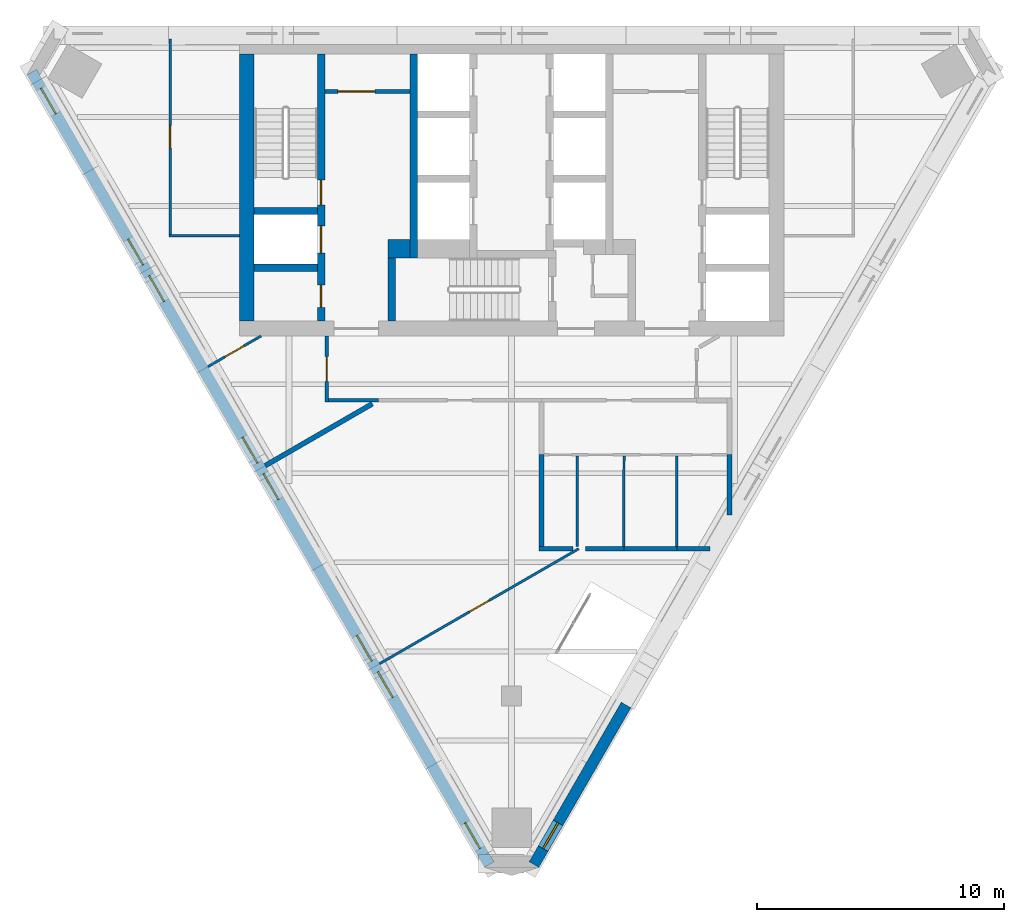
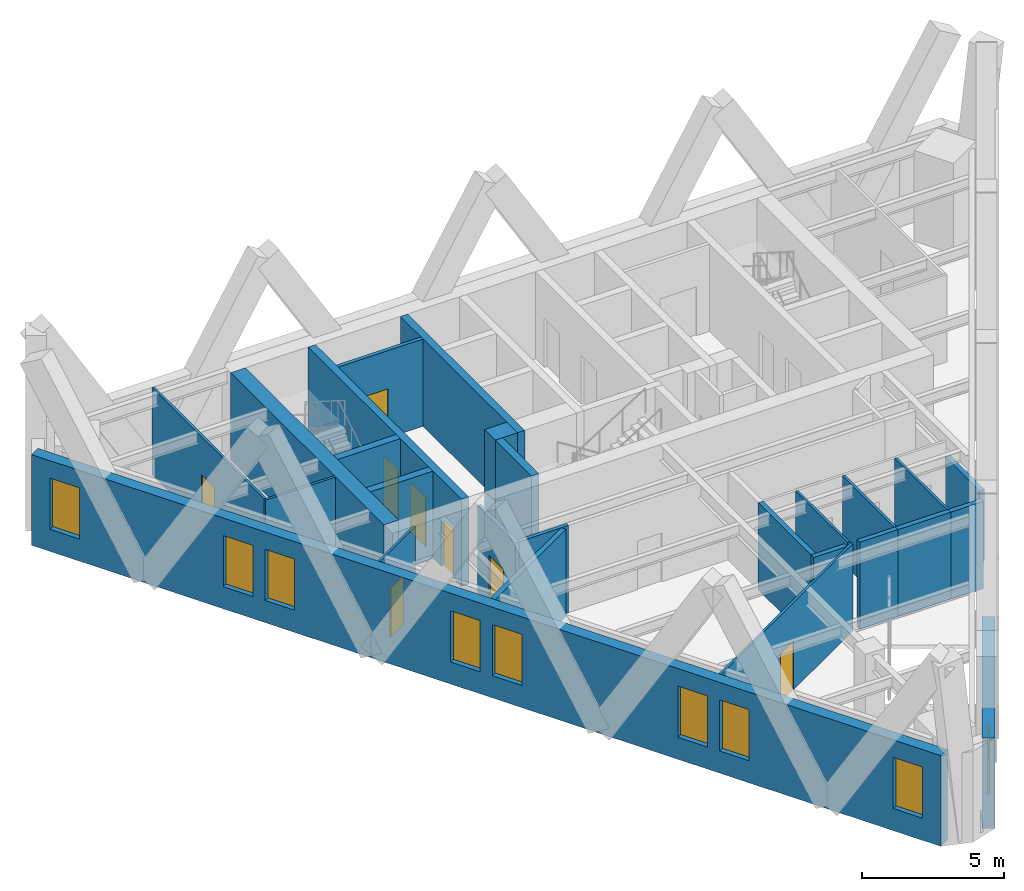
# One storey, part 4 of 9: 26 walls, 9 windows, 8 doors, 17 openings.
"""IFC4 building model written with IfcOpenShell, lengths in metres."""

from ifc_helpers import new_model, si_unit, direction, frame, frame_2d, origin, place, context, subcontext, project, spatial, polyline, rectangle, outline, extrude, material, layer, layer_set, type_object, element, fill, save


model = new_model("IFC4")

# Units and contexts
model_context = context("Model", 3, precision=1e-05, world=origin(), true_north=direction((0.0, 1.0)))
body_context = subcontext(model_context, "Body", "Model", "MODEL_VIEW")
ifc_project = project(units=[si_unit("LENGTHUNIT", "METRE"), si_unit("AREAUNIT", "SQUARE_METRE"), si_unit("VOLUMEUNIT", "CUBIC_METRE"), si_unit("PLANEANGLEUNIT", "RADIAN"), si_unit("MASSUNIT", "GRAM", prefix="KILO")], contexts=[model_context])

# Site, building, storey
site_placement = place(None, origin())
site = spatial("IfcSite", under=ifc_project, at=site_placement, CompositionType="ELEMENT")
building_placement = place(site_placement, origin())
building = spatial("IfcBuilding", under=site, at=building_placement, Name="Aloe Facet Convention Tower", CompositionType="ELEMENT")
storey_placement = place(building_placement, frame((0.0, 0.0, 277.699951171875)))
storey = spatial("IfcBuildingStorey", under=building, at=storey_placement, Name="L68", CompositionType="ELEMENT", Elevation=277.699951171875)

# Wall, opening, door
ifc_material_1 = material(Name="Concrete blockwork partition", Category="masonry")
ifc_layer_1 = layer(ifc_material_1, 0.14990234375)
ifc_layer_set_1 = layer_set([ifc_layer_1], Name="CR-W-PART150")
wall_type_1 = type_object("IfcWallType", Name="CR-W-PART150", PredefinedType="PARTITIONING", material=ifc_layer_set_1)
wall_1_placement = place(storey_placement, frame((72.449951171875, 132.425048828125, 0.0), z_axis=(0.0, 0.0, 1.0), x_axis=(1.0, 0.0, 0.0)))
wall_1 = element("IfcWall", 1, at=wall_1_placement, inside=storey, type_object=wall_type_1, Name="Core partition L68-007", PredefinedType="PARTITIONING", context=body_context, shape_type="SweptSolid", body=[
    extrude(rectangle(XDim=3.449951171875, YDim=0.14990234375, at=frame_2d((1.72509765625, 0.0))), origin(), (0.0, 0.0, 1.0), 3.75),
])
opening_1_placement = place(wall_1_placement, frame((0.52490234375, 0.0, 0.0)))
opening_1 = element("IfcOpeningElement", 2, at=opening_1_placement, cuts=wall_1, Name="Opening L68-CD14", PredefinedType="OPENING", context=body_context, shape_type="SweptSolid", body=[
    extrude(rectangle(XDim=1.5, YDim=2.10009765625, at=frame_2d((0.75, 1.050048828125))), frame((0.0, 0.0849609375, 0.0), z_axis=(0.0, -1.0, 0.0), x_axis=(1.0, 0.0, 0.0)), (0.0, 0.0, 1.0), 0.169921875),
])
ifc_material_2 = material(Name="Steel fire-resisting door set FD60", Category="steel")
door_type_1 = type_object("IfcDoorType", Name="CR-D-REFUGE-1500-FD60-DD", OperationType="DOUBLE_DOOR_DOUBLE_SWING", PredefinedType="DOOR", material=ifc_material_2)
door_1_placement = place(opening_1_placement, origin())
door_1 = element("IfcDoor", 3, at=door_1_placement, inside=storey, type_object=door_type_1, Name="Core door L68-CD14", OperationType="DOUBLE_DOOR_DOUBLE_SWING", OverallHeight=2.10009765625, OverallWidth=1.5, PredefinedType="DOOR", context=body_context, shape_type="SweptSolid", body=[
    extrude(rectangle(XDim=1.5, YDim=2.10009765625, at=frame_2d((0.75, 1.050048828125))), frame((0.0, 0.02490234375, 0.0), z_axis=(0.0, -1.0, 0.0), x_axis=(1.0, 0.0, 0.0)), (0.0, 0.0, 1.0), 0.050048828125),
])
fill(opening_1, door_1)

# Walls
ifc_material_3 = material(Name="Concrete C50/60", Category="concrete")
ifc_layer_2 = layer(ifc_material_3, 0.300048828125)
ifc_layer_set_2 = layer_set([ifc_layer_2], Name="CR-W-RC300-C5060")
wall_type_2 = type_object("IfcWallType", Name="CR-W-RC300-C5060", PredefinedType="SOLIDWALL", material=ifc_layer_set_2)
for number, where, z_axis, x_axis, name in (
    (4, (69.60009765625, 127.60009765625, 0.0), (0.0, 0.0, 1.0), (1.0, 0.0, 0.0), "Core wall L68-004"),
    (5, (69.60009765625, 125.300048828125, 0.0), (0.0, 0.0, 1.0), (1.0, 0.0, 0.0), "Core wall L68-005"),
):
    element("IfcWall", number, at=place(storey_placement, frame(where, z_axis=z_axis, x_axis=x_axis)), inside=storey, type_object=wall_type_2, Name=name, PredefinedType="SOLIDWALL", context=body_context, shape_type="SweptSolid", body=[
        extrude(rectangle(XDim=2.5498046875, YDim=0.300048828125, at=frame_2d((1.27490234375, 0.0))), origin(), (0.0, 0.0, 1.0), 3.75),
    ])

# Wall, openings, doors
wall_2_placement = place(storey_placement, frame((72.300048828125, 133.949951171875, 0.0), z_axis=(0.0, 0.0, 1.0), x_axis=(0.0, -1.0, 0.0)))
wall_2 = element("IfcWall", 6, at=wall_2_placement, inside=storey, type_object=wall_type_2, Name="Core wall L68-006", PredefinedType="SOLIDWALL", context=body_context, shape_type="SweptSolid", body=[
    extrude(rectangle(XDim=10.800048828125, YDim=0.300048828125, at=frame_2d((5.39990234375, 0.0))), origin(), (0.0, 0.0, 1.0), 3.75),
])
opening_2_placement = place(wall_2_placement, frame((6.949951171875, 0.0, 0.0)))
opening_2 = element("IfcOpeningElement", 7, at=opening_2_placement, cuts=wall_2, Name="Opening LD-FF1-L68", PredefinedType="OPENING", context=body_context, shape_type="SweptSolid", body=[
    extrude(rectangle(XDim=1.10009765625, YDim=2.10009765625, at=frame_2d((0.550048828125, 1.050048828125))), frame((0.0, 0.16015625, 0.0), z_axis=(0.0, -1.0, 0.0), x_axis=(1.0, 0.0, 0.0)), (0.0, 0.0, 1.0), 0.320068359375),
])
opening_3_placement = place(wall_2_placement, frame((9.35009765625, 0.0, 0.0)))
opening_3 = element("IfcOpeningElement", 8, at=opening_3_placement, cuts=wall_2, Name="Opening L68-CD15", PredefinedType="OPENING", context=body_context, shape_type="SweptSolid", body=[
    extrude(rectangle(XDim=0.89990234375, YDim=2.10009765625, at=frame_2d((0.449951171875, 1.050048828125))), frame((0.0, 0.16015625, 0.0), z_axis=(0.0, -1.0, 0.0), x_axis=(1.0, 0.0, 0.0)), (0.0, 0.0, 1.0), 0.320068359375),
])
opening_4_placement = place(wall_2_placement, frame((5.10009765625, 0.0, 0.0)))
opening_4 = element("IfcOpeningElement", 9, at=opening_4_placement, cuts=wall_2, Name="Opening L68-CD16", PredefinedType="OPENING", context=body_context, shape_type="SweptSolid", body=[
    extrude(rectangle(XDim=1.0, YDim=2.10009765625, at=frame_2d((0.5, 1.050048828125))), frame((0.0, 0.16015625, 0.0), z_axis=(0.0, -1.0, 0.0), x_axis=(1.0, 0.0, 0.0)), (0.0, 0.0, 1.0), 0.320068359375),
])
ifc_material_4 = material(Name="Steel fire-resisting door set FD60", Category="steel")
door_type_2 = type_object("IfcDoorType", Name="CR-D-ROOM-900-FD60-SLEFT", OperationType="SINGLE_SWING_LEFT", PredefinedType="DOOR", material=ifc_material_4)
door_2_placement = place(opening_3_placement, origin())
door_2 = element("IfcDoor", 10, at=door_2_placement, inside=storey, type_object=door_type_2, Name="Core door L68-CD15", OperationType="SINGLE_SWING_LEFT", OverallHeight=2.10009765625, OverallWidth=0.89990234375, PredefinedType="DOOR", context=body_context, shape_type="SweptSolid", body=[
    extrude(rectangle(XDim=0.89990234375, YDim=2.10009765625, at=frame_2d((0.449951171875, 1.050048828125))), frame((0.0, 0.02490234375, 0.0), z_axis=(0.0, -1.0, 0.0), x_axis=(1.0, 0.0, 0.0)), (0.0, 0.0, 1.0), 0.050048828125),
])
fill(opening_3, door_2)
ifc_material_5 = material(Name="Steel fire-resisting door set FD120", Category="steel")
door_type_3 = type_object("IfcDoorType", Name="CR-D-STAIR-1000-FD120-SRIGHT", OperationType="SINGLE_SWING_RIGHT", PredefinedType="DOOR", material=ifc_material_5)
door_3_placement = place(opening_4_placement, origin())
door_3 = element("IfcDoor", 11, at=door_3_placement, inside=storey, type_object=door_type_3, Name="Core door L68-CD16", OperationType="SINGLE_SWING_RIGHT", OverallHeight=2.10009765625, OverallWidth=1.0, PredefinedType="DOOR", context=body_context, shape_type="SweptSolid", body=[
    extrude(rectangle(XDim=1.0, YDim=2.10009765625, at=frame_2d((0.5, 1.050048828125))), frame((0.0, 0.02490234375, 0.0), z_axis=(0.0, -1.0, 0.0), x_axis=(1.0, 0.0, 0.0)), (0.0, 0.0, 1.0), 0.050048828125),
])
fill(opening_4, door_3)
ifc_material_6 = material(Name="Stainless steel sliding landing door", Category="steel")
door_type_4 = type_object("IfcDoorType", Name="CR-LD-1100-FD120-_LEFT", OperationType="SLIDING_TO_LEFT", PredefinedType="DOOR", material=ifc_material_6)
door_4_placement = place(opening_2_placement, origin())
door_4 = element("IfcDoor", 12, at=door_4_placement, inside=storey, type_object=door_type_4, Name="Landing door FF1 L68", OperationType="SLIDING_TO_LEFT", OverallHeight=2.10009765625, OverallWidth=1.10009765625, PredefinedType="DOOR", context=body_context, shape_type="SweptSolid", body=[
    extrude(rectangle(XDim=1.10009765625, YDim=2.10009765625, at=frame_2d((0.550048828125, 1.050048828125))), frame((0.0, 0.02490234375, 0.0), z_axis=(0.0, -1.0, 0.0), x_axis=(1.0, 0.0, 0.0)), (0.0, 0.0, 1.0), 0.050048828125),
])
fill(opening_2, door_4)

# Walls
wall_3_placement = place(storey_placement, frame((75.14990234375, 125.699951171875, 0.0), z_axis=(0.0, 0.0, 1.0), x_axis=(0.0, -1.0, 0.0)))
element("IfcWall", 13, at=wall_3_placement, inside=storey, type_object=wall_type_2, Name="Core wall L68-009", PredefinedType="SOLIDWALL", context=body_context, shape_type="SweptSolid", body=[
    extrude(rectangle(XDim=2.550048828125, YDim=0.300048828125, at=frame_2d((1.27490234375, 0.0))), origin(), (0.0, 0.0, 1.0), 3.75),
])
wall_4_placement = place(storey_placement, frame((76.050048828125, 133.949951171875, 0.0), z_axis=(0.0, 0.0, 1.0), x_axis=(0.0, -1.0, 0.0)))
element("IfcWall", 14, at=wall_4_placement, inside=storey, type_object=wall_type_2, Name="Core wall L68-010", PredefinedType="SOLIDWALL", context=body_context, shape_type="SweptSolid", body=[
    extrude(rectangle(XDim=8.25, YDim=0.300048828125, at=frame_2d((4.125, 0.0))), origin(), (0.0, 0.0, 1.0), 3.75),
])
ifc_material_7 = material(Name="Concrete C50/60", Category="concrete")
ifc_layer_3 = layer(ifc_material_7, 0.60009765625)
ifc_layer_set_3 = layer_set([ifc_layer_3], Name="CR-W-RC600-C5060")
wall_type_3 = type_object("IfcWallType", Name="CR-W-RC600-C5060", PredefinedType="SOLIDWALL", material=ifc_layer_set_3)
wall_5_placement = place(storey_placement, frame((69.300048828125, 133.949951171875, 0.0), z_axis=(0.0, 0.0, 1.0), x_axis=(0.0, -1.0, 0.0)))
element("IfcWall", 15, at=wall_5_placement, inside=storey, type_object=wall_type_3, Name="Core wall L68-002", PredefinedType="SOLIDWALL", context=body_context, shape_type="SweptSolid", body=[
    extrude(rectangle(XDim=10.800048828125, YDim=0.60009765625, at=frame_2d((5.39990234375, 0.0))), origin(), (0.0, 0.0, 1.0), 3.75),
])
ifc_material_8 = material(Name="Concrete C50/60", Category="concrete")
ifc_layer_4 = layer(ifc_material_8, 0.75)
ifc_layer_set_4 = layer_set([ifc_layer_4], Name="CR-W-RC750-C5060")
wall_type_4 = type_object("IfcWallType", Name="CR-W-RC750-C5060", PredefinedType="SOLIDWALL", material=ifc_layer_set_4)
wall_6_placement = place(storey_placement, frame((75.0, 126.074951171875, 0.0), z_axis=(0.0, 0.0, 1.0), x_axis=(1.0, 0.0, 0.0)))
element("IfcWall", 16, at=wall_6_placement, inside=storey, type_object=wall_type_4, Name="Core wall L68-008", PredefinedType="SOLIDWALL", context=body_context, shape_type="SweptSolid", body=[
    extrude(rectangle(XDim=0.89990234375, YDim=0.75, at=frame_2d((0.449951171875, 0.0))), origin(), (0.0, 0.0, 1.0), 3.75),
])

# Wall, openings, windows
ifc_material_9 = material(Name="Precast concrete C40/50", Category="concrete")
ifc_layer_5 = layer(ifc_material_9, 0.449951171875)
ifc_layer_set_5 = layer_set([ifc_layer_5], Name="EV-WALL-STONE")
wall_type_5 = type_object("IfcWallType", Name="EV-WALL-STONE", PredefinedType="SOLIDWALL", material=ifc_layer_set_5)
wall_7_placement = place(storey_placement, frame((60.608642578125, 133.207275390625, -0.14990234375), z_axis=(0.0, 0.0, 1.0), x_axis=(0.500002536638, -0.866023939251, 0.0)))
wall_7 = element("IfcWall", 17, at=wall_7_placement, inside=storey, type_object=wall_type_5, Name="EW-L68-W01", PredefinedType="SOLIDWALL", context=body_context, shape_type="SweptSolid", body=[
    extrude(outline(polyline([(36.972412109375, 0.0), (36.972412109375, 3.89990234375), (0.0, 3.89990234375), (0.0, 0.0), (36.972412109375, 0.0)])), frame((0.0, 0.22509765625, 0.0), z_axis=(0.0, -1.0, 0.0), x_axis=(1.0, 0.0, 0.0)), (0.0, 0.0, 1.0), 0.449951171875),
])
opening_5_placement = place(wall_7_placement, frame((0.744140625, 0.0, 0.949951171875)))
opening_5 = element("IfcOpeningElement", 18, at=opening_5_placement, cuts=wall_7, Name="Opening W-L68-W01", PredefinedType="OPENING", context=body_context, shape_type="SweptSolid", body=[
    extrude(rectangle(XDim=1.199951171875, YDim=2.199951171875, at=frame_2d((0.60009765625, 1.10009765625))), frame((0.0, 0.23486328125, 0.0), z_axis=(0.0, -1.0, 0.0), x_axis=(1.0, 0.0, 0.0)), (0.0, 0.0, 1.0), 0.469970703125),
])
opening_6_placement = place(wall_7_placement, frame((7.79296875, 0.0, 0.949951171875)))
opening_6 = element("IfcOpeningElement", 19, at=opening_6_placement, cuts=wall_7, Name="Opening W-L68-W02", PredefinedType="OPENING", context=body_context, shape_type="SweptSolid", body=[
    extrude(rectangle(XDim=1.199951171875, YDim=2.199951171875, at=frame_2d((0.60009765625, 1.10009765625))), frame((0.0, 0.23486328125, 0.0), z_axis=(0.0, -1.0, 0.0), x_axis=(1.0, 0.0, 0.0)), (0.0, 0.0, 1.0), 0.469970703125),
])
opening_7_placement = place(wall_7_placement, frame((9.4931640625, 0.0, 0.949951171875)))
opening_7 = element("IfcOpeningElement", 20, at=opening_7_placement, cuts=wall_7, Name="Opening W-L68-W03", PredefinedType="OPENING", context=body_context, shape_type="SweptSolid", body=[
    extrude(rectangle(XDim=1.199951171875, YDim=2.199951171875, at=frame_2d((0.60009765625, 1.10009765625))), frame((0.0, 0.23486328125, 0.0), z_axis=(0.0, -1.0, 0.0), x_axis=(1.0, 0.0, 0.0)), (0.0, 0.0, 1.0), 0.469970703125),
])
opening_8_placement = place(wall_7_placement, frame((17.0361328125, 0.0, 0.949951171875)))
opening_8 = element("IfcOpeningElement", 21, at=opening_8_placement, cuts=wall_7, Name="Opening W-L68-W04", PredefinedType="OPENING", context=body_context, shape_type="SweptSolid", body=[
    extrude(rectangle(XDim=1.199951171875, YDim=2.199951171875, at=frame_2d((0.60009765625, 1.10009765625))), frame((0.0, 0.23486328125, 0.0), z_axis=(0.0, -1.0, 0.0), x_axis=(1.0, 0.0, 0.0)), (0.0, 0.0, 1.0), 0.469970703125),
])
opening_9_placement = place(wall_7_placement, frame((18.736083984375, 0.0, 0.949951171875)))
opening_9 = element("IfcOpeningElement", 22, at=opening_9_placement, cuts=wall_7, Name="Opening W-L68-W05", PredefinedType="OPENING", context=body_context, shape_type="SweptSolid", body=[
    extrude(rectangle(XDim=1.199951171875, YDim=2.199951171875, at=frame_2d((0.60009765625, 1.10009765625))), frame((0.0, 0.23486328125, 0.0), z_axis=(0.0, -1.0, 0.0), x_axis=(1.0, 0.0, 0.0)), (0.0, 0.0, 1.0), 0.469970703125),
])
opening_10_placement = place(wall_7_placement, frame((26.279296875, 0.0, 0.949951171875)))
opening_10 = element("IfcOpeningElement", 23, at=opening_10_placement, cuts=wall_7, Name="Opening W-L68-W06", PredefinedType="OPENING", context=body_context, shape_type="SweptSolid", body=[
    extrude(rectangle(XDim=1.199951171875, YDim=2.199951171875, at=frame_2d((0.60009765625, 1.10009765625))), frame((0.0, 0.23486328125, 0.0), z_axis=(0.0, -1.0, 0.0), x_axis=(1.0, 0.0, 0.0)), (0.0, 0.0, 1.0), 0.469970703125),
])
opening_11_placement = place(wall_7_placement, frame((27.979248046875, 0.0, 0.949951171875)))
opening_11 = element("IfcOpeningElement", 24, at=opening_11_placement, cuts=wall_7, Name="Opening W-L68-W07", PredefinedType="OPENING", context=body_context, shape_type="SweptSolid", body=[
    extrude(rectangle(XDim=1.199951171875, YDim=2.199951171875, at=frame_2d((0.60009765625, 1.10009765625))), frame((0.0, 0.23486328125, 0.0), z_axis=(0.0, -1.0, 0.0), x_axis=(1.0, 0.0, 0.0)), (0.0, 0.0, 1.0), 0.469970703125),
])
opening_12_placement = place(wall_7_placement, frame((35.028076171875, 0.0, 0.949951171875)))
opening_12 = element("IfcOpeningElement", 25, at=opening_12_placement, cuts=wall_7, Name="Opening W-L68-W08", PredefinedType="OPENING", context=body_context, shape_type="SweptSolid", body=[
    extrude(rectangle(XDim=1.199951171875, YDim=2.199951171875, at=frame_2d((0.60009765625, 1.10009765625))), frame((0.0, 0.23486328125, 0.0), z_axis=(0.0, -1.0, 0.0), x_axis=(1.0, 0.0, 0.0)), (0.0, 0.0, 1.0), 0.469970703125),
])
ifc_material_10 = material(Name="Aluminium frame, clear double glazing", Category="aluminium")
window_type = type_object("IfcWindowType", Name="EV-WIN-O12", PartitioningType="SINGLE_PANEL", PredefinedType="WINDOW", material=ifc_material_10)
window_1_placement = place(opening_5_placement, origin())
window_1 = element("IfcWindow", 26, at=window_1_placement, inside=storey, type_object=window_type, Name="W-L68-W01", OverallHeight=2.199951171875, OverallWidth=1.199951171875, PartitioningType="SINGLE_PANEL", PredefinedType="WINDOW", context=body_context, shape_type="SweptSolid", body=[
    extrude(rectangle(XDim=1.199951171875, YDim=2.199951171875, at=frame_2d((0.60009765625, 1.10009765625))), frame((0.0, 0.030029296875, 0.0), z_axis=(0.0, -1.0, 0.0), x_axis=(1.0, 0.0, 0.0)), (0.0, 0.0, 1.0), 0.06005859375),
])
fill(opening_5, window_1)
window_2_placement = place(opening_6_placement, origin())
window_2 = element("IfcWindow", 27, at=window_2_placement, inside=storey, type_object=window_type, Name="W-L68-W02", OverallHeight=2.199951171875, OverallWidth=1.199951171875, PartitioningType="SINGLE_PANEL", PredefinedType="WINDOW", context=body_context, shape_type="SweptSolid", body=[
    extrude(rectangle(XDim=1.199951171875, YDim=2.199951171875, at=frame_2d((0.60009765625, 1.10009765625))), frame((0.0, 0.030029296875, 0.0), z_axis=(0.0, -1.0, 0.0), x_axis=(1.0, 0.0, 0.0)), (0.0, 0.0, 1.0), 0.06005859375),
])
fill(opening_6, window_2)
window_3_placement = place(opening_7_placement, origin())
window_3 = element("IfcWindow", 28, at=window_3_placement, inside=storey, type_object=window_type, Name="W-L68-W03", OverallHeight=2.199951171875, OverallWidth=1.199951171875, PartitioningType="SINGLE_PANEL", PredefinedType="WINDOW", context=body_context, shape_type="SweptSolid", body=[
    extrude(rectangle(XDim=1.199951171875, YDim=2.199951171875, at=frame_2d((0.60009765625, 1.10009765625))), frame((0.0, 0.030029296875, 0.0), z_axis=(0.0, -1.0, 0.0), x_axis=(1.0, 0.0, 0.0)), (0.0, 0.0, 1.0), 0.06005859375),
])
fill(opening_7, window_3)
window_4_placement = place(opening_8_placement, origin())
window_4 = element("IfcWindow", 29, at=window_4_placement, inside=storey, type_object=window_type, Name="W-L68-W04", OverallHeight=2.199951171875, OverallWidth=1.199951171875, PartitioningType="SINGLE_PANEL", PredefinedType="WINDOW", context=body_context, shape_type="SweptSolid", body=[
    extrude(rectangle(XDim=1.199951171875, YDim=2.199951171875, at=frame_2d((0.60009765625, 1.10009765625))), frame((0.0, 0.030029296875, 0.0), z_axis=(0.0, -1.0, 0.0), x_axis=(1.0, 0.0, 0.0)), (0.0, 0.0, 1.0), 0.06005859375),
])
fill(opening_8, window_4)
window_5_placement = place(opening_9_placement, origin())
window_5 = element("IfcWindow", 30, at=window_5_placement, inside=storey, type_object=window_type, Name="W-L68-W05", OverallHeight=2.199951171875, OverallWidth=1.199951171875, PartitioningType="SINGLE_PANEL", PredefinedType="WINDOW", context=body_context, shape_type="SweptSolid", body=[
    extrude(rectangle(XDim=1.199951171875, YDim=2.199951171875, at=frame_2d((0.60009765625, 1.10009765625))), frame((0.0, 0.030029296875, 0.0), z_axis=(0.0, -1.0, 0.0), x_axis=(1.0, 0.0, 0.0)), (0.0, 0.0, 1.0), 0.06005859375),
])
fill(opening_9, window_5)
window_6_placement = place(opening_10_placement, origin())
window_6 = element("IfcWindow", 31, at=window_6_placement, inside=storey, type_object=window_type, Name="W-L68-W06", OverallHeight=2.199951171875, OverallWidth=1.199951171875, PartitioningType="SINGLE_PANEL", PredefinedType="WINDOW", context=body_context, shape_type="SweptSolid", body=[
    extrude(rectangle(XDim=1.199951171875, YDim=2.199951171875, at=frame_2d((0.60009765625, 1.10009765625))), frame((0.0, 0.030029296875, 0.0), z_axis=(0.0, -1.0, 0.0), x_axis=(1.0, 0.0, 0.0)), (0.0, 0.0, 1.0), 0.06005859375),
])
fill(opening_10, window_6)
window_7_placement = place(opening_11_placement, origin())
window_7 = element("IfcWindow", 32, at=window_7_placement, inside=storey, type_object=window_type, Name="W-L68-W07", OverallHeight=2.199951171875, OverallWidth=1.199951171875, PartitioningType="SINGLE_PANEL", PredefinedType="WINDOW", context=body_context, shape_type="SweptSolid", body=[
    extrude(rectangle(XDim=1.199951171875, YDim=2.199951171875, at=frame_2d((0.60009765625, 1.10009765625))), frame((0.0, 0.030029296875, 0.0), z_axis=(0.0, -1.0, 0.0), x_axis=(1.0, 0.0, 0.0)), (0.0, 0.0, 1.0), 0.06005859375),
])
fill(opening_11, window_7)
window_8_placement = place(opening_12_placement, origin())
window_8 = element("IfcWindow", 33, at=window_8_placement, inside=storey, type_object=window_type, Name="W-L68-W08", OverallHeight=2.199951171875, OverallWidth=1.199951171875, PartitioningType="SINGLE_PANEL", PredefinedType="WINDOW", context=body_context, shape_type="SweptSolid", body=[
    extrude(rectangle(XDim=1.199951171875, YDim=2.199951171875, at=frame_2d((0.60009765625, 1.10009765625))), frame((0.0, 0.030029296875, 0.0), z_axis=(0.0, -1.0, 0.0), x_axis=(1.0, 0.0, 0.0)), (0.0, 0.0, 1.0), 0.06005859375),
])
fill(opening_12, window_8)

# Wall, opening, window
wall_8_placement = place(storey_placement, frame((80.905029296875, 101.188232421875, -0.14990234375), z_axis=(0.0, 0.0, 1.0), x_axis=(0.500005432742, 0.866022267167, 0.0)))
wall_8 = element("IfcWall", 34, at=wall_8_placement, inside=storey, type_object=wall_type_5, Name="EW-L68-E01", PredefinedType="SOLIDWALL", context=body_context, shape_type="SweptSolid", body=[
    extrude(outline(polyline([(0.0, 0.0), (0.0, 3.89990234375), (7.443115234375, 3.89990234375), (7.443115234375, 0.0), (0.0, 0.0)])), frame((0.0, 0.22509765625, 0.0), z_axis=(0.0, -1.0, 0.0), x_axis=(1.0, 0.0, 0.0)), (0.0, 0.0, 1.0), 0.449951171875),
])
opening_13_placement = place(wall_8_placement, frame((0.744140625, 0.0, 0.949951171875)))
opening_13 = element("IfcOpeningElement", 35, at=opening_13_placement, cuts=wall_8, Name="Opening W-L68-E01", PredefinedType="OPENING", context=body_context, shape_type="SweptSolid", body=[
    extrude(rectangle(XDim=1.199951171875, YDim=2.199951171875, at=frame_2d((0.60009765625, 1.10009765625))), frame((0.0, 0.23486328125, 0.0), z_axis=(0.0, -1.0, 0.0), x_axis=(1.0, 0.0, 0.0)), (0.0, 0.0, 1.0), 0.469970703125),
])
window_9_placement = place(opening_13_placement, origin())
window_9 = element("IfcWindow", 36, at=window_9_placement, inside=storey, type_object=window_type, Name="W-L68-E01", OverallHeight=2.199951171875, OverallWidth=1.199951171875, PartitioningType="SINGLE_PANEL", PredefinedType="WINDOW", context=body_context, shape_type="SweptSolid", body=[
    extrude(rectangle(XDim=1.199951171875, YDim=2.199951171875, at=frame_2d((0.60009765625, 1.10009765625))), frame((0.0, 0.030029296875, 0.0), z_axis=(0.0, -1.0, 0.0), x_axis=(1.0, 0.0, 0.0)), (0.0, 0.0, 1.0), 0.06005859375),
])
fill(opening_13, window_9)

# Wall, opening, door
ifc_material_11 = material(Name="Gypsum board partition on steel studs", Category="steel")
ifc_layer_6 = layer(ifc_material_11, 0.14990234375)
ifc_layer_set_6 = layer_set([ifc_layer_6], Name="IN-W-CORR")
wall_type_6 = type_object("IfcWallType", Name="IN-W-CORR", PredefinedType="PARTITIONING", material=ifc_layer_set_6)
wall_9_placement = place(storey_placement, frame((72.52490234375, 119.875, 0.0), z_axis=(0.0, 0.0, 1.0), x_axis=(0.0, 1.0, 0.0)))
wall_9 = element("IfcWall", 37, at=wall_9_placement, inside=storey, type_object=wall_type_6, Name="Partition L68-W018", PredefinedType="PARTITIONING", context=body_context, shape_type="SweptSolid", body=[
    extrude(rectangle(XDim=2.675048828125, YDim=0.14990234375, at=frame_2d((1.33740234375, 0.0))), origin(), (0.0, 0.0, 1.0), 3.75),
])
opening_14_placement = place(wall_9_placement, frame((0.83740234375, 0.0, 0.0)))
opening_14 = element("IfcOpeningElement", 38, at=opening_14_placement, cuts=wall_9, Name="Opening L68-008", PredefinedType="OPENING", context=body_context, shape_type="SweptSolid", body=[
    extrude(rectangle(XDim=1.0, YDim=2.10009765625, at=frame_2d((0.5, 1.050048828125))), frame((0.0, 0.0849609375, 0.0), z_axis=(0.0, -1.0, 0.0), x_axis=(1.0, 0.0, 0.0)), (0.0, 0.0, 1.0), 0.169921875),
])
ifc_material_12 = material(Name="Timber door FD30S with vision panel", Category="wood")
door_type_5 = type_object("IfcDoorType", Name="IN-OFF-D-ENTRY", OperationType="SINGLE_SWING_LEFT", PredefinedType="DOOR", material=ifc_material_12)
door_5_placement = place(opening_14_placement, origin())
door_5 = element("IfcDoor", 39, at=door_5_placement, inside=storey, type_object=door_type_5, Name="Door L68-008", OperationType="SINGLE_SWING_LEFT", OverallHeight=2.10009765625, OverallWidth=1.0, PredefinedType="DOOR", context=body_context, shape_type="SweptSolid", body=[
    extrude(rectangle(XDim=1.0, YDim=2.10009765625, at=frame_2d((0.5, 1.050048828125))), frame((0.0, 0.02490234375, 0.0), z_axis=(0.0, -1.0, 0.0), x_axis=(1.0, 0.0, 0.0)), (0.0, 0.0, 1.0), 0.050048828125),
])
fill(opening_14, door_5)

# Wall
wall_10_placement = place(storey_placement, frame((72.60009765625, 119.949951171875, 0.0), z_axis=(0.0, 0.0, 1.0), x_axis=(1.0, 0.0, 0.0)))
element("IfcWall", 40, at=wall_10_placement, inside=storey, type_object=wall_type_6, Name="Partition L68-W019", PredefinedType="PARTITIONING", context=body_context, shape_type="SweptSolid", body=[
    extrude(rectangle(XDim=2.0185546875, YDim=0.14990234375, at=frame_2d((1.00927734375, 0.0))), origin(), (0.0, 0.0, 1.0), 3.75),
])

# Wall, opening, door
ifc_material_13 = material(Name="Gypsum board partition on steel studs", Category="steel")
ifc_layer_7 = layer(ifc_material_13, 0.10009765625)
ifc_layer_set_7 = layer_set([ifc_layer_7], Name="IN-W-PART")
wall_type_7 = type_object("IfcWallType", Name="IN-W-PART", PredefinedType="PARTITIONING", material=ifc_layer_set_7)
wall_11_placement = place(storey_placement, frame((74.668212890625, 109.305419921875, 0.0), z_axis=(0.0, 0.0, 1.0), x_axis=(0.866021891294, 0.500006083763, 0.0)))
wall_11 = element("IfcWall", 41, at=wall_11_placement, inside=storey, type_object=wall_type_7, Name="Partition L68-W001", PredefinedType="PARTITIONING", context=body_context, shape_type="SweptSolid", body=[
    extrude(rectangle(XDim=9.2890625, YDim=0.10009765625, at=frame_2d((4.64453125, 0.0))), origin(), (0.0, 0.0, 1.0), 3.75),
])
opening_15_placement = place(wall_11_placement, frame((4.194580078125, 0.0, 0.0)))
opening_15 = element("IfcOpeningElement", 42, at=opening_15_placement, cuts=wall_11, Name="Opening L68-012", PredefinedType="OPENING", context=body_context, shape_type="SweptSolid", body=[
    extrude(rectangle(XDim=0.89990234375, YDim=2.10009765625, at=frame_2d((0.449951171875, 1.050048828125))), frame((0.0, 0.06005859375, 0.0), z_axis=(0.0, -1.0, 0.0), x_axis=(1.0, 0.0, 0.0)), (0.0, 0.0, 1.0), 0.1201171875),
])
ifc_material_14 = material(Name="Timber door", Category="wood")
door_type_6 = type_object("IfcDoorType", Name="IN-OFF-D-ROOM", OperationType="SINGLE_SWING_LEFT", PredefinedType="DOOR", material=ifc_material_14)
door_6_placement = place(opening_15_placement, origin())
door_6 = element("IfcDoor", 43, at=door_6_placement, inside=storey, type_object=door_type_6, Name="Door L68-012", OperationType="SINGLE_SWING_LEFT", OverallHeight=2.10009765625, OverallWidth=0.89990234375, PredefinedType="DOOR", context=body_context, shape_type="SweptSolid", body=[
    extrude(rectangle(XDim=0.89990234375, YDim=2.10009765625, at=frame_2d((0.449951171875, 1.050048828125))), frame((0.0, 0.02490234375, 0.0), z_axis=(0.0, -1.0, 0.0), x_axis=(1.0, 0.0, 0.0)), (0.0, 0.0, 1.0), 0.050048828125),
])
fill(opening_15, door_6)

# Walls
for number, where, z_axis, x_axis, name in (
    (44, (82.65380859375, 114.050048828125, 0.0), (0.0, 0.0, 1.0), (-0.002675575707, 0.999996420641, 0.0), "Partition L68-W009"),
    (45, (84.5341796875, 114.050048828125, 0.0), (0.0, 0.0, 1.0), (0.002675575707, 0.999996420641, 0.0), "Partition L68-W011"),
    (46, (86.681640625, 114.050048828125, 0.0), (0.0, 0.0, 1.0), (-0.002608686776, 0.999996597371, 0.0), "Partition L68-W013"),
):
    element("IfcWall", number, at=place(storey_placement, frame(where, z_axis=z_axis, x_axis=x_axis)), inside=storey, type_object=wall_type_7, Name=name, PredefinedType="PARTITIONING", context=body_context, shape_type="SweptSolid", body=[
        extrude(rectangle(XDim=3.64990234375, YDim=0.10009765625, at=frame_2d((1.824951171875, 0.0))), origin(), (0.0, 0.0, 1.0), 3.75),
    ])

# Wall, opening, door
wall_12_placement = place(storey_placement, frame((67.73583984375, 121.312744140625, 0.0), z_axis=(0.0, 0.0, 1.0), x_axis=(0.86604923931, 0.499958713387, 0.0)))
wall_12 = element("IfcWall", 47, at=wall_12_placement, inside=storey, type_object=wall_type_7, Name="Partition L68-W026", PredefinedType="PARTITIONING", context=body_context, shape_type="SweptSolid", body=[
    extrude(rectangle(XDim=2.474853515625, YDim=0.10009765625, at=frame_2d((1.2373046875, 0.0))), origin(), (0.0, 0.0, 1.0), 3.75),
])
opening_16_placement = place(wall_12_placement, frame((0.787353515625, 0.0, 0.0)))
opening_16 = element("IfcOpeningElement", 48, at=opening_16_placement, cuts=wall_12, Name="Opening L68-010", PredefinedType="OPENING", context=body_context, shape_type="SweptSolid", body=[
    extrude(rectangle(XDim=0.89990234375, YDim=2.10009765625, at=frame_2d((0.449951171875, 1.050048828125))), frame((0.0, 0.06005859375, 0.0), z_axis=(0.0, -1.0, 0.0), x_axis=(1.0, 0.0, 0.0)), (0.0, 0.0, 1.0), 0.1201171875),
])
door_7_placement = place(opening_16_placement, origin())
door_7 = element("IfcDoor", 49, at=door_7_placement, inside=storey, type_object=door_type_6, Name="Door L68-010", OperationType="SINGLE_SWING_LEFT", OverallHeight=2.10009765625, OverallWidth=0.89990234375, PredefinedType="DOOR", context=body_context, shape_type="SweptSolid", body=[
    extrude(rectangle(XDim=0.89990234375, YDim=2.10009765625, at=frame_2d((0.449951171875, 1.050048828125))), frame((0.0, 0.02490234375, 0.0), z_axis=(0.0, -1.0, 0.0), x_axis=(1.0, 0.0, 0.0)), (0.0, 0.0, 1.0), 0.050048828125),
])
fill(opening_16, door_7)

# Wall
wall_13_placement = place(storey_placement, frame((66.148193359375, 126.60009765625, 0.0), z_axis=(0.0, 0.0, 1.0), x_axis=(1.0, 0.0, 0.0)))
element("IfcWall", 50, at=wall_13_placement, inside=storey, type_object=wall_type_7, Name="Partition L68-W027", PredefinedType="PARTITIONING", context=body_context, shape_type="SweptSolid", body=[
    extrude(rectangle(XDim=2.851806640625, YDim=0.10009765625, at=frame_2d((1.42578125, 0.0))), origin(), (0.0, 0.0, 1.0), 3.75),
])

# Wall, opening, door
wall_14_placement = place(storey_placement, frame((66.1982421875, 126.64990234375, 0.0), z_axis=(0.0, 0.0, 1.0), x_axis=(0.0, 1.0, 0.0)))
wall_14 = element("IfcWall", 51, at=wall_14_placement, inside=storey, type_object=wall_type_7, Name="Partition L68-W030", PredefinedType="PARTITIONING", context=body_context, shape_type="SweptSolid", body=[
    extrude(rectangle(XDim=7.900146484375, YDim=0.10009765625, at=frame_2d((3.9501953125, 0.0))), origin(), (0.0, 0.0, 1.0), 3.75),
])
opening_17_placement = place(wall_14_placement, frame((3.5, 0.0, 0.0)))
opening_17 = element("IfcOpeningElement", 52, at=opening_17_placement, cuts=wall_14, Name="Opening L68-007", PredefinedType="OPENING", context=body_context, shape_type="SweptSolid", body=[
    extrude(rectangle(XDim=0.89990234375, YDim=2.10009765625, at=frame_2d((0.449951171875, 1.050048828125))), frame((0.0, 0.06005859375, 0.0), z_axis=(0.0, -1.0, 0.0), x_axis=(1.0, 0.0, 0.0)), (0.0, 0.0, 1.0), 0.1201171875),
])
door_8_placement = place(opening_17_placement, origin())
door_8 = element("IfcDoor", 53, at=door_8_placement, inside=storey, type_object=door_type_6, Name="Door L68-007", OperationType="SINGLE_SWING_LEFT", OverallHeight=2.10009765625, OverallWidth=0.89990234375, PredefinedType="DOOR", context=body_context, shape_type="SweptSolid", body=[
    extrude(rectangle(XDim=0.89990234375, YDim=2.10009765625, at=frame_2d((0.449951171875, 1.050048828125))), frame((0.0, 0.02490234375, 0.0), z_axis=(0.0, -1.0, 0.0), x_axis=(1.0, 0.0, 0.0)), (0.0, 0.0, 1.0), 0.050048828125),
])
fill(opening_17, door_8)

# Walls
ifc_material_15 = material(Name="Gypsum board partition on steel studs", Category="steel")
ifc_layer_8 = layer(ifc_material_15, 0.199951171875)
ifc_layer_set_8 = layer_set([ifc_layer_8], Name="IN-W-PARTY")
wall_type_8 = type_object("IfcWallType", Name="IN-W-PARTY", PredefinedType="PARTITIONING", material=ifc_layer_set_8)
wall_15_placement = place(storey_placement, frame((81.10205078125, 113.949951171875, 0.0), z_axis=(0.0, 0.0, 1.0), x_axis=(1.0, 0.0, 0.0)))
element("IfcWall", 54, at=wall_15_placement, inside=storey, type_object=wall_type_8, Name="Partition L68-W002", PredefinedType="PARTITIONING", context=body_context, shape_type="SweptSolid", body=[
    extrude(rectangle(XDim=1.3720703125, YDim=0.199951171875, at=frame_2d((0.68603515625, 0.0))), origin(), (0.0, 0.0, 1.0), 3.75),
])
wall_16_placement = place(storey_placement, frame((82.98583984375, 113.949951171875, 0.0), z_axis=(0.0, 0.0, 1.0), x_axis=(1.0, 0.0, 0.0)))
element("IfcWall", 55, at=wall_16_placement, inside=storey, type_object=wall_type_8, Name="Partition L68-W004", PredefinedType="PARTITIONING", context=body_context, shape_type="SweptSolid", body=[
    extrude(rectangle(XDim=1.548095703125, YDim=0.199951171875, at=frame_2d((0.77392578125, 0.0))), origin(), (0.0, 0.0, 1.0), 3.75),
])
wall_17_placement = place(storey_placement, frame((84.533935546875, 113.949951171875, 0.0), z_axis=(0.0, 0.0, 1.0), x_axis=(1.0, 0.0, 0.0)))
element("IfcWall", 56, at=wall_17_placement, inside=storey, type_object=wall_type_8, Name="Partition L68-W005", PredefinedType="PARTITIONING", context=body_context, shape_type="SweptSolid", body=[
    extrude(rectangle(XDim=2.14794921875, YDim=0.199951171875, at=frame_2d((1.073974609375, 0.0))), origin(), (0.0, 0.0, 1.0), 3.75),
])
wall_18_placement = place(storey_placement, frame((86.681884765625, 113.949951171875, 0.0), z_axis=(0.0, 0.0, 1.0), x_axis=(1.0, 0.0, 0.0)))
element("IfcWall", 57, at=wall_18_placement, inside=storey, type_object=wall_type_8, Name="Partition L68-W006", PredefinedType="PARTITIONING", context=body_context, shape_type="SweptSolid", body=[
    extrude(rectangle(XDim=1.33154296875, YDim=0.199951171875, at=frame_2d((0.665771484375, 0.0))), origin(), (0.0, 0.0, 1.0), 3.75),
])
wall_19_placement = place(storey_placement, frame((88.802978515625, 115.31787109375, 0.0), z_axis=(0.0, 0.0, 1.0), x_axis=(0.0, 1.0, 0.0)))
element("IfcWall", 58, at=wall_19_placement, inside=storey, type_object=wall_type_8, Name="Partition L68-W007", PredefinedType="PARTITIONING", context=body_context, shape_type="SweptSolid", body=[
    extrude(rectangle(XDim=2.43212890625, YDim=0.199951171875, at=frame_2d((1.216064453125, 0.0))), origin(), (0.0, 0.0, 1.0), 3.062255859375),
])
wall_20_placement = place(storey_placement, frame((70.046630859375, 117.310302734375, 0.0), z_axis=(0.0, 0.0, 1.0), x_axis=(0.866032544947, 0.499987630939, 0.0)))
element("IfcWall", 59, at=wall_20_placement, inside=storey, type_object=wall_type_8, Name="Partition L68-W008", PredefinedType="PARTITIONING", context=body_context, shape_type="SweptSolid", body=[
    extrude(rectangle(XDim=4.994384765625, YDim=0.199951171875, at=frame_2d((2.4970703125, 0.0))), origin(), (0.0, 0.0, 1.0), 3.75),
])
wall_21_placement = place(storey_placement, frame((81.199951171875, 117.75, 0.0), z_axis=(0.0, 0.0, 1.0), x_axis=(0.000527878514, -0.999999860672, 0.0)))
element("IfcWall", 60, at=wall_21_placement, inside=storey, type_object=wall_type_8, Name="Partition L68-W017", PredefinedType="PARTITIONING", context=body_context, shape_type="SweptSolid", body=[
    extrude(rectangle(XDim=3.699951171875, YDim=0.199951171875, at=frame_2d((1.85009765625, 0.0))), origin(), (0.0, 0.0, 1.0), 3.75),
])

save(model, "model.ifc")
